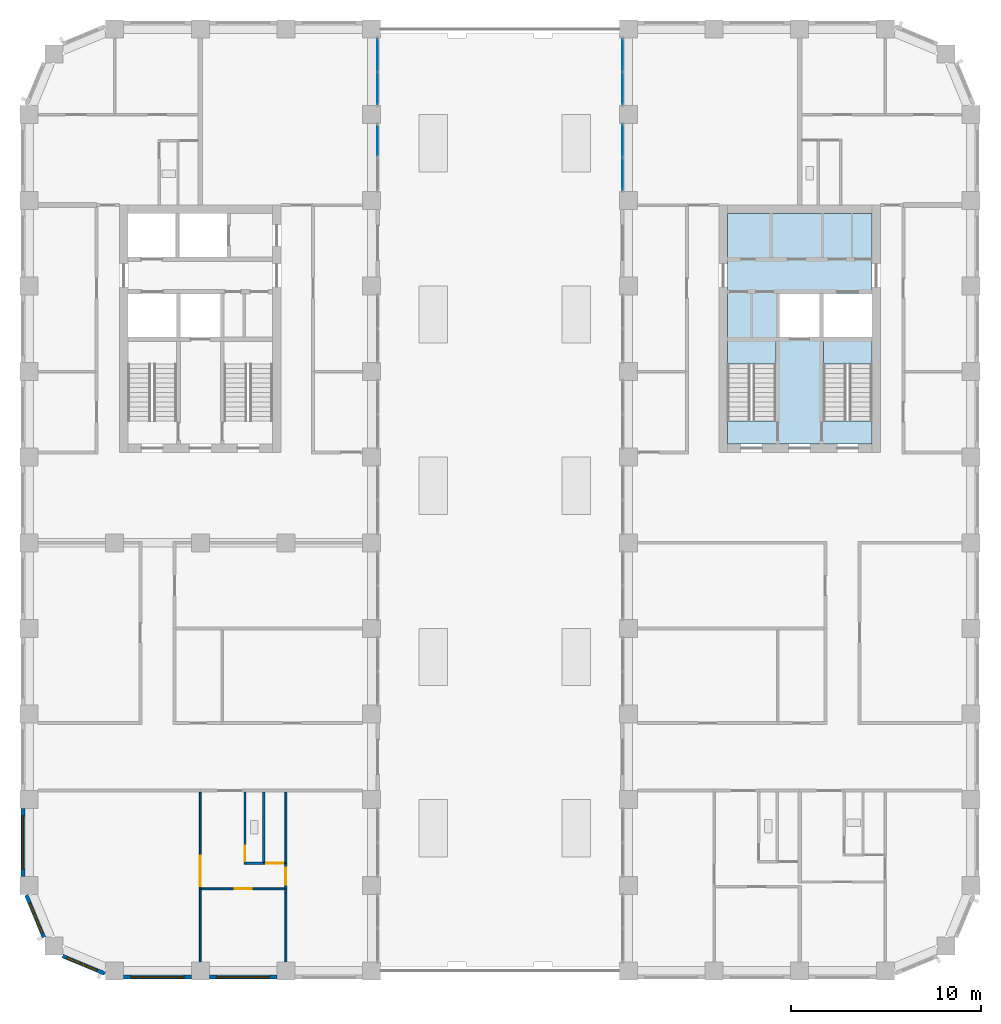
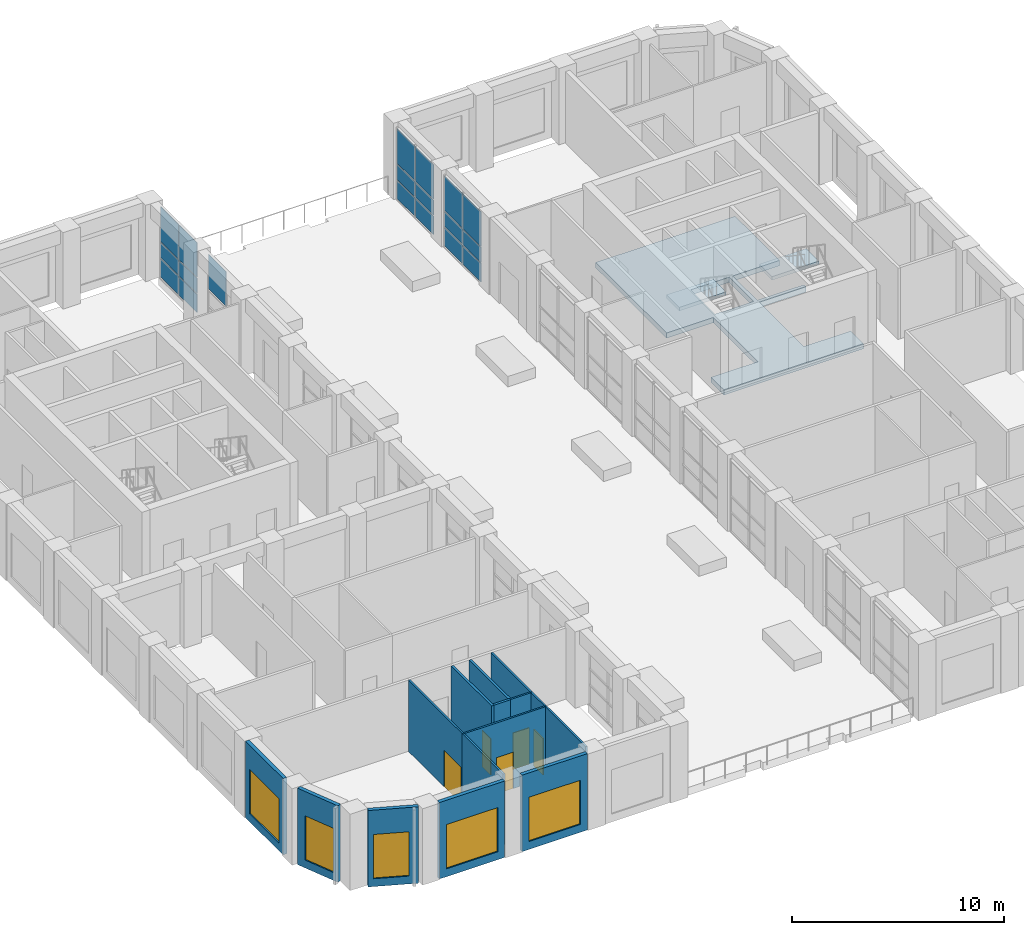
# One storey, part 9 of 20: 19 plates, 15 walls, 5 doors, 5 windows, 3 slabs, 10 openings, 6 elements without a shape of their own.
"""IFC4 building model written with IfcOpenShell, lengths in metres."""

from ifc_helpers import new_model, si_unit, direction, frame, frame_2d, origin, origin_2d, place, context, subcontext, project, spatial, polyline, rectangle, outline, extrude, material, layer, layer_set, type_object, element, fill, aggregate, save


model = new_model("IFC4")

# Units and contexts
model_context = context("Model", 3, precision=1e-05, world=origin(), true_north=direction((0.0, 1.0)))
body_context = subcontext(model_context, "Body", "Model", "MODEL_VIEW")
ifc_project = project(units=[si_unit("LENGTHUNIT", "METRE"), si_unit("AREAUNIT", "SQUARE_METRE"), si_unit("VOLUMEUNIT", "CUBIC_METRE"), si_unit("PLANEANGLEUNIT", "RADIAN"), si_unit("MASSUNIT", "GRAM", prefix="KILO")], contexts=[model_context])

# Site, building, storey
site_placement = place(None, origin())
site = spatial("IfcSite", under=ifc_project, at=site_placement, CompositionType="ELEMENT")
building_placement = place(site_placement, origin())
building = spatial("IfcBuilding", under=site, at=building_placement, Name="Girih Gate Residences", CompositionType="ELEMENT")
storey_placement = place(building_placement, frame((0.0, 0.0, 146.199951171875)))
storey = spatial("IfcBuildingStorey", under=building, at=storey_placement, Name="L41", CompositionType="ELEMENT", Elevation=146.199951171875)

# Slab
ifc_material_1 = material(Name="Concrete C40/50", Category="concrete")
ifc_layer_1 = layer(ifc_material_1, 0.300048828125)
ifc_layer_set_1 = layer_set([ifc_layer_1], Name="Core floor slab 300")
slab_type_1 = type_object("IfcSlabType", Name="Core floor slab 300", PredefinedType="FLOOR", material=ifc_layer_set_1)
slab_1_placement = place(storey_placement, frame((0.0, 0.0, -0.300048828125)))
element("IfcSlab", 1, at=slab_1_placement, inside=storey, type_object=slab_type_1, Name="L41 E core floor", PredefinedType="FLOOR", context=body_context, shape_type="SweptSolid", body=[
    extrude(outline(polyline([(44.300048828125, 27.699951171875), (36.699951171875, 27.699951171875), (36.699951171875, 28.900634765625), (39.25, 28.900634765625), (39.25, 33.10009765625), (36.699951171875, 33.10009765625), (36.699951171875, 39.800048828125), (44.300048828125, 39.800048828125), (44.300048828125, 35.60009765625), (41.75, 35.60009765625), (41.75, 33.300048828125), (44.300048828125, 33.300048828125), (44.300048828125, 33.10009765625), (41.75, 33.10009765625), (41.75, 28.900634765625), (44.300048828125, 28.900634765625), (44.300048828125, 27.699951171875)]), holes=[polyline([(39.449951171875, 33.300048828125), (41.550048828125, 33.300048828125), (41.550048828125, 35.60009765625), (39.449951171875, 35.60009765625), (39.449951171875, 33.300048828125)])]), origin(), (0.0, 0.0, 1.0), 0.300048828125),
])

# Curtain wall, plate
ifc_material_2 = material(Name="Aluminium curtain wall frame", Category="aluminium")
curtain_wall_type = type_object("IfcCurtainWallType", Name="Curtain wall CW-3 sky lounge glazing", PredefinedType="NOTDEFINED", material=ifc_material_2)
curtain_wall_1_placement = place(storey_placement, origin())
curtain_wall_1 = element("IfcCurtainWall", 2, at=curtain_wall_1_placement, inside=storey, type_object=curtain_wall_type, Name="CW-3 Sky lounge glazing E0180_0000.9", PredefinedType="NOTDEFINED")
ifc_material_3 = material(Name="Triple glazed unit")
ifc_layer_2 = layer(ifc_material_3, 0.0439453125)
ifc_layer_set_2 = layer_set([ifc_layer_2], Name="Curtain wall glass panel 44")
plate_type = type_object("IfcPlateType", Name="Curtain wall glass panel 44", PredefinedType="CURTAIN_PANEL", material=ifc_layer_set_2)
plate_1_placement = place(storey_placement, frame((18.31494140625, 43.62255859375, 2.10498046875), z_axis=(0.0, 0.0, 1.0), x_axis=(0.0, 1.0, 0.0)))
plate_1 = element("IfcPlate", 3, at=plate_1_placement, type_object=plate_type, Name="CW-3 panel 2.3", PredefinedType="CURTAIN_PANEL", context=body_context, shape_type="SweptSolid", body=[
    extrude(rectangle(XDim=1.68505859375, YDim=0.028076171875, at=origin_2d()), origin(), (0.0, 0.0, 1.0), 1.985107421875),
])
aggregate(curtain_wall_1, [plate_1])

# Curtain wall, plates
curtain_wall_2_placement = place(storey_placement, origin())
curtain_wall_2 = element("IfcCurtainWall", 4, at=curtain_wall_2_placement, inside=storey, type_object=curtain_wall_type, Name="CW-3 Sky lounge glazing E0180_0000.10", PredefinedType="NOTDEFINED")
plate_2_placement = place(storey_placement, frame((18.31494140625, 46.37744140625, 0.06005859375), z_axis=(0.0, 0.0, 1.0), x_axis=(0.0, 1.0, 0.0)))
plate_2 = element("IfcPlate", 5, at=plate_2_placement, type_object=plate_type, Name="CW-3 panel 1.1", PredefinedType="CURTAIN_PANEL", context=body_context, shape_type="SweptSolid", body=[
    extrude(rectangle(XDim=1.68505859375, YDim=0.028076171875, at=origin_2d()), origin(), (0.0, 0.0, 1.0), 1.06005859375),
])
plate_3_placement = place(storey_placement, frame((18.31494140625, 46.37744140625, 1.18017578125), z_axis=(0.0, 0.0, 1.0), x_axis=(0.0, 1.0, 0.0)))
plate_3 = element("IfcPlate", 6, at=plate_3_placement, type_object=plate_type, Name="CW-3 panel 1.2", PredefinedType="CURTAIN_PANEL", context=body_context, shape_type="SweptSolid", body=[
    extrude(rectangle(XDim=1.68505859375, YDim=0.028076171875, at=origin_2d()), origin(), (0.0, 0.0, 1.0), 0.864990234375),
])
plate_4_placement = place(storey_placement, frame((18.31494140625, 46.37744140625, 2.10498046875), z_axis=(0.0, 0.0, 1.0), x_axis=(0.0, 1.0, 0.0)))
plate_4 = element("IfcPlate", 7, at=plate_4_placement, type_object=plate_type, Name="CW-3 panel 1.3", PredefinedType="CURTAIN_PANEL", context=body_context, shape_type="SweptSolid", body=[
    extrude(rectangle(XDim=1.68505859375, YDim=0.028076171875, at=origin_2d()), origin(), (0.0, 0.0, 1.0), 1.985107421875),
])
plate_5_placement = place(storey_placement, frame((18.31494140625, 48.12255859375, 0.06005859375), z_axis=(0.0, 0.0, 1.0), x_axis=(0.0, 1.0, 0.0)))
plate_5 = element("IfcPlate", 8, at=plate_5_placement, type_object=plate_type, Name="CW-3 panel 2.1", PredefinedType="CURTAIN_PANEL", context=body_context, shape_type="SweptSolid", body=[
    extrude(rectangle(XDim=1.68505859375, YDim=0.028076171875, at=origin_2d()), origin(), (0.0, 0.0, 1.0), 1.06005859375),
])
plate_6_placement = place(storey_placement, frame((18.31494140625, 48.12255859375, 1.18017578125), z_axis=(0.0, 0.0, 1.0), x_axis=(0.0, 1.0, 0.0)))
plate_6 = element("IfcPlate", 9, at=plate_6_placement, type_object=plate_type, Name="CW-3 panel 2.2", PredefinedType="CURTAIN_PANEL", context=body_context, shape_type="SweptSolid", body=[
    extrude(rectangle(XDim=1.68505859375, YDim=0.028076171875, at=origin_2d()), origin(), (0.0, 0.0, 1.0), 0.864990234375),
])
plate_7_placement = place(storey_placement, frame((18.31494140625, 48.12255859375, 2.10498046875), z_axis=(0.0, 0.0, 1.0), x_axis=(0.0, 1.0, 0.0)))
plate_7 = element("IfcPlate", 10, at=plate_7_placement, type_object=plate_type, Name="CW-3 panel 2.3", PredefinedType="CURTAIN_PANEL", context=body_context, shape_type="SweptSolid", body=[
    extrude(rectangle(XDim=1.68505859375, YDim=0.028076171875, at=origin_2d()), origin(), (0.0, 0.0, 1.0), 1.985107421875),
])
aggregate(curtain_wall_2, [plate_2, plate_3, plate_4, plate_5, plate_6, plate_7])

curtain_wall_3_placement = place(storey_placement, origin())
curtain_wall_3 = element("IfcCurtainWall", 11, at=curtain_wall_3_placement, inside=storey, type_object=curtain_wall_type, Name="CW-3 Sky lounge glazing W0315_0495.0", PredefinedType="NOTDEFINED")
plate_8_placement = place(storey_placement, frame((31.18505859375, 48.12255859375, 0.06005859375), z_axis=(0.0, 0.0, 1.0), x_axis=(0.0, -1.0, 0.0)))
plate_8 = element("IfcPlate", 12, at=plate_8_placement, type_object=plate_type, Name="CW-3 panel 1.1", PredefinedType="CURTAIN_PANEL", context=body_context, shape_type="SweptSolid", body=[
    extrude(rectangle(XDim=1.68505859375, YDim=0.028076171875, at=origin_2d()), origin(), (0.0, 0.0, 1.0), 1.06005859375),
])
plate_9_placement = place(storey_placement, frame((31.18505859375, 48.12255859375, 1.18017578125), z_axis=(0.0, 0.0, 1.0), x_axis=(0.0, -1.0, 0.0)))
plate_9 = element("IfcPlate", 13, at=plate_9_placement, type_object=plate_type, Name="CW-3 panel 1.2", PredefinedType="CURTAIN_PANEL", context=body_context, shape_type="SweptSolid", body=[
    extrude(rectangle(XDim=1.68505859375, YDim=0.028076171875, at=origin_2d()), origin(), (0.0, 0.0, 1.0), 0.864990234375),
])
plate_10_placement = place(storey_placement, frame((31.18505859375, 48.12255859375, 2.10498046875), z_axis=(0.0, 0.0, 1.0), x_axis=(0.0, -1.0, 0.0)))
plate_10 = element("IfcPlate", 14, at=plate_10_placement, type_object=plate_type, Name="CW-3 panel 1.3", PredefinedType="CURTAIN_PANEL", context=body_context, shape_type="SweptSolid", body=[
    extrude(rectangle(XDim=1.68505859375, YDim=0.028076171875, at=origin_2d()), origin(), (0.0, 0.0, 1.0), 1.985107421875),
])
plate_11_placement = place(storey_placement, frame((31.18505859375, 46.37744140625, 0.06005859375), z_axis=(0.0, 0.0, 1.0), x_axis=(0.0, -1.0, 0.0)))
plate_11 = element("IfcPlate", 15, at=plate_11_placement, type_object=plate_type, Name="CW-3 panel 2.1", PredefinedType="CURTAIN_PANEL", context=body_context, shape_type="SweptSolid", body=[
    extrude(rectangle(XDim=1.68505859375, YDim=0.028076171875, at=origin_2d()), origin(), (0.0, 0.0, 1.0), 1.06005859375),
])
plate_12_placement = place(storey_placement, frame((31.18505859375, 46.37744140625, 1.18017578125), z_axis=(0.0, 0.0, 1.0), x_axis=(0.0, -1.0, 0.0)))
plate_12 = element("IfcPlate", 16, at=plate_12_placement, type_object=plate_type, Name="CW-3 panel 2.2", PredefinedType="CURTAIN_PANEL", context=body_context, shape_type="SweptSolid", body=[
    extrude(rectangle(XDim=1.68505859375, YDim=0.028076171875, at=origin_2d()), origin(), (0.0, 0.0, 1.0), 0.864990234375),
])
plate_13_placement = place(storey_placement, frame((31.18505859375, 46.37744140625, 2.10498046875), z_axis=(0.0, 0.0, 1.0), x_axis=(0.0, -1.0, 0.0)))
plate_13 = element("IfcPlate", 17, at=plate_13_placement, type_object=plate_type, Name="CW-3 panel 2.3", PredefinedType="CURTAIN_PANEL", context=body_context, shape_type="SweptSolid", body=[
    extrude(rectangle(XDim=1.68505859375, YDim=0.028076171875, at=origin_2d()), origin(), (0.0, 0.0, 1.0), 1.985107421875),
])
aggregate(curtain_wall_3, [plate_8, plate_9, plate_10, plate_11, plate_12, plate_13])

curtain_wall_4_placement = place(storey_placement, origin())
curtain_wall_4 = element("IfcCurtainWall", 18, at=curtain_wall_4_placement, inside=storey, type_object=curtain_wall_type, Name="CW-3 Sky lounge glazing W0315_0495.1", PredefinedType="NOTDEFINED")
plate_14_placement = place(storey_placement, frame((31.18505859375, 43.62255859375, 0.06005859375), z_axis=(0.0, 0.0, 1.0), x_axis=(0.0, -1.0, 0.0)))
plate_14 = element("IfcPlate", 19, at=plate_14_placement, type_object=plate_type, Name="CW-3 panel 1.1", PredefinedType="CURTAIN_PANEL", context=body_context, shape_type="SweptSolid", body=[
    extrude(rectangle(XDim=1.68505859375, YDim=0.028076171875, at=origin_2d()), origin(), (0.0, 0.0, 1.0), 1.06005859375),
])
plate_15_placement = place(storey_placement, frame((31.18505859375, 43.62255859375, 1.18017578125), z_axis=(0.0, 0.0, 1.0), x_axis=(0.0, -1.0, 0.0)))
plate_15 = element("IfcPlate", 20, at=plate_15_placement, type_object=plate_type, Name="CW-3 panel 1.2", PredefinedType="CURTAIN_PANEL", context=body_context, shape_type="SweptSolid", body=[
    extrude(rectangle(XDim=1.68505859375, YDim=0.028076171875, at=origin_2d()), origin(), (0.0, 0.0, 1.0), 0.864990234375),
])
plate_16_placement = place(storey_placement, frame((31.18505859375, 43.62255859375, 2.10498046875), z_axis=(0.0, 0.0, 1.0), x_axis=(0.0, -1.0, 0.0)))
plate_16 = element("IfcPlate", 21, at=plate_16_placement, type_object=plate_type, Name="CW-3 panel 1.3", PredefinedType="CURTAIN_PANEL", context=body_context, shape_type="SweptSolid", body=[
    extrude(rectangle(XDim=1.68505859375, YDim=0.028076171875, at=origin_2d()), origin(), (0.0, 0.0, 1.0), 1.985107421875),
])
plate_17_placement = place(storey_placement, frame((31.18505859375, 41.87744140625, 0.06005859375), z_axis=(0.0, 0.0, 1.0), x_axis=(0.0, -1.0, 0.0)))
plate_17 = element("IfcPlate", 22, at=plate_17_placement, type_object=plate_type, Name="CW-3 panel 2.1", PredefinedType="CURTAIN_PANEL", context=body_context, shape_type="SweptSolid", body=[
    extrude(rectangle(XDim=1.68505859375, YDim=0.028076171875, at=origin_2d()), origin(), (0.0, 0.0, 1.0), 1.06005859375),
])
plate_18_placement = place(storey_placement, frame((31.18505859375, 41.87744140625, 1.18017578125), z_axis=(0.0, 0.0, 1.0), x_axis=(0.0, -1.0, 0.0)))
plate_18 = element("IfcPlate", 23, at=plate_18_placement, type_object=plate_type, Name="CW-3 panel 2.2", PredefinedType="CURTAIN_PANEL", context=body_context, shape_type="SweptSolid", body=[
    extrude(rectangle(XDim=1.68505859375, YDim=0.028076171875, at=origin_2d()), origin(), (0.0, 0.0, 1.0), 0.864990234375),
])
plate_19_placement = place(storey_placement, frame((31.18505859375, 41.87744140625, 2.10498046875), z_axis=(0.0, 0.0, 1.0), x_axis=(0.0, -1.0, 0.0)))
plate_19 = element("IfcPlate", 24, at=plate_19_placement, type_object=plate_type, Name="CW-3 panel 2.3", PredefinedType="CURTAIN_PANEL", context=body_context, shape_type="SweptSolid", body=[
    extrude(rectangle(XDim=1.68505859375, YDim=0.028076171875, at=origin_2d()), origin(), (0.0, 0.0, 1.0), 1.985107421875),
])
aggregate(curtain_wall_4, [plate_14, plate_15, plate_16, plate_17, plate_18, plate_19])

# Stair, slab
stair_type = type_object("IfcStairType", Name="Exit stair", PredefinedType="HALF_TURN_STAIR", material=ifc_material_1)
stair_1_placement = place(storey_placement, origin())
stair_1 = element("IfcStair", 25, at=stair_1_placement, inside=storey, type_object=stair_type, Name="L41 Exit Stair ST-E1", PredefinedType="HALF_TURN_STAIR")
ifc_layer_3 = layer(ifc_material_1, 0.199951171875)
ifc_layer_set_3 = layer_set([ifc_layer_3], Name="Stair landing 200")
slab_type_2 = type_object("IfcSlabType", Name="Stair landing 200", PredefinedType="LANDING", material=ifc_layer_set_3)
slab_2_placement = place(storey_placement, frame((0.0, 0.0, 2.0)))
slab_2 = element("IfcSlab", 26, at=slab_2_placement, type_object=slab_type_2, Name="ST-E1 landing 1", PredefinedType="LANDING", context=body_context, shape_type="SweptSolid", body=[
    extrude(outline(polyline([(44.300048828125, 31.89990234375), (44.300048828125, 33.10009765625), (41.75, 33.10009765625), (41.75, 31.89990234375), (44.300048828125, 31.89990234375)])), origin(), (0.0, 0.0, 1.0), 0.199951171875),
])
aggregate(stair_1, [slab_2])

stair_2_placement = place(storey_placement, origin())
stair_2 = element("IfcStair", 27, at=stair_2_placement, inside=storey, type_object=stair_type, Name="L41 Exit Stair ST-E2", PredefinedType="HALF_TURN_STAIR")
slab_3_placement = place(storey_placement, frame((0.0, 0.0, 2.0)))
slab_3 = element("IfcSlab", 28, at=slab_3_placement, type_object=slab_type_2, Name="ST-E2 landing 1", PredefinedType="LANDING", context=body_context, shape_type="SweptSolid", body=[
    extrude(outline(polyline([(39.25, 31.89990234375), (39.25, 33.10009765625), (36.699951171875, 33.10009765625), (36.699951171875, 31.89990234375), (39.25, 31.89990234375)])), origin(), (0.0, 0.0, 1.0), 0.199951171875),
])
aggregate(stair_2, [slab_3])

# Wall
ifc_material_4 = material(Name="Gypsum board on steel studs", Category="steel")
ifc_layer_4 = layer(ifc_material_4, 0.10009765625)
ifc_layer_set_4 = layer_set([ifc_layer_4], Name="Partition 100 mm")
wall_type_1 = type_object("IfcWallType", Name="Partition 100 mm", PredefinedType="PARTITIONING", material=ifc_layer_set_4)
wall_1_placement = place(storey_placement, frame((13.5, 0.47509765625, 0.0), z_axis=(0.0, 0.0, 1.0), x_axis=(0.0, 1.0, 0.0)))
element("IfcWall", 29, at=wall_1_placement, inside=storey, type_object=wall_type_1, Name="L41 partition", PredefinedType="PARTITIONING", context=body_context, shape_type="SweptSolid", body=[
    extrude(rectangle(XDim=3.83984375, YDim=0.10009765625, at=frame_2d((1.919921875, 0.0))), origin(), (0.0, 0.0, 1.0), 4.10009765625),
])

# Wall, opening, door
wall_2_placement = place(storey_placement, frame((13.449951171875, 4.31494140625, 0.0), z_axis=(0.0, 0.0, 1.0), x_axis=(-1.0, 0.0, 0.0)))
wall_2 = element("IfcWall", 30, at=wall_2_placement, inside=storey, type_object=wall_type_1, Name="L41 partition", PredefinedType="PARTITIONING", context=body_context, shape_type="SweptSolid", body=[
    extrude(rectangle(XDim=4.39990234375, YDim=0.10009765625, at=frame_2d((2.199951171875, 0.0))), origin(), (0.0, 0.0, 1.0), 4.10009765625),
])
opening_1_placement = place(wall_2_placement, frame((1.75, 0.0, 0.0)))
opening_1 = element("IfcOpeningElement", 31, at=opening_1_placement, cuts=wall_2, Name="Opening A41-002", PredefinedType="OPENING", context=body_context, shape_type="SweptSolid", body=[
    extrude(rectangle(XDim=0.89990234375, YDim=2.10009765625, at=frame_2d((0.449951171875, 1.050048828125))), frame((0.0, 0.06005859375, 0.0), z_axis=(0.0, -1.0, 0.0), x_axis=(1.0, 0.0, 0.0)), (0.0, 0.0, 1.0), 0.1201171875),
])
ifc_material_5 = material(Name="Timber", Category="wood")
door_type_1 = type_object("IfcDoorType", Name="Bedroom door 900x2100", OperationType="NOTDEFINED", PredefinedType="DOOR", material=ifc_material_5)
door_1_placement = place(opening_1_placement, origin())
door_1 = element("IfcDoor", 32, at=door_1_placement, inside=storey, type_object=door_type_1, Name="Door A41-002", OperationType="SINGLE_SWING_RIGHT", OverallHeight=2.10009765625, OverallWidth=0.89990234375, PredefinedType="DOOR", context=body_context, shape_type="SweptSolid", body=[
    extrude(rectangle(XDim=0.89990234375, YDim=2.10009765625, at=frame_2d((0.449951171875, 1.050048828125))), frame((0.0, 0.02490234375, 0.0), z_axis=(0.0, -1.0, 0.0), x_axis=(1.0, 0.0, 0.0)), (0.0, 0.0, 1.0), 0.050048828125),
])
fill(opening_1, door_1)

# Wall
wall_3_placement = place(storey_placement, frame((9.0, 0.47509765625, 0.0), z_axis=(0.0, 0.0, 1.0), x_axis=(0.0, 1.0, 0.0)))
element("IfcWall", 33, at=wall_3_placement, inside=storey, type_object=wall_type_1, Name="L41 partition", PredefinedType="PARTITIONING", context=body_context, shape_type="SweptSolid", body=[
    extrude(rectangle(XDim=3.83984375, YDim=0.10009765625, at=frame_2d((1.919921875, 0.0))), origin(), (0.0, 0.0, 1.0), 4.10009765625),
])

# Wall, opening, door
wall_4_placement = place(storey_placement, frame((13.5, 5.655029296875, 0.0), z_axis=(0.0, 0.0, 1.0), x_axis=(0.0, -1.0, 0.0)))
wall_4 = element("IfcWall", 34, at=wall_4_placement, inside=storey, type_object=wall_type_1, Name="L41 partition", PredefinedType="PARTITIONING", context=body_context, shape_type="SweptSolid", body=[
    extrude(rectangle(XDim=1.340087890625, YDim=0.10009765625, at=frame_2d((0.669921875, 0.0))), origin(), (0.0, 0.0, 1.0), 4.10009765625),
])
opening_2_placement = place(wall_4_placement, frame((0.219970703125, 0.0, 0.0)))
opening_2 = element("IfcOpeningElement", 35, at=opening_2_placement, cuts=wall_4, Name="Opening A41-003", PredefinedType="OPENING", context=body_context, shape_type="SweptSolid", body=[
    extrude(rectangle(XDim=0.89990234375, YDim=2.10009765625, at=frame_2d((0.449951171875, 1.050048828125))), frame((0.0, 0.06005859375, 0.0), z_axis=(0.0, -1.0, 0.0), x_axis=(1.0, 0.0, 0.0)), (0.0, 0.0, 1.0), 0.1201171875),
])
door_2_placement = place(opening_2_placement, origin())
door_2 = element("IfcDoor", 36, at=door_2_placement, inside=storey, type_object=door_type_1, Name="Door A41-003", OperationType="SINGLE_SWING_RIGHT", OverallHeight=2.10009765625, OverallWidth=0.89990234375, PredefinedType="DOOR", context=body_context, shape_type="SweptSolid", body=[
    extrude(rectangle(XDim=0.89990234375, YDim=2.10009765625, at=frame_2d((0.449951171875, 1.050048828125))), frame((0.0, 0.02490234375, 0.0), z_axis=(0.0, -1.0, 0.0), x_axis=(1.0, 0.0, 0.0)), (0.0, 0.0, 1.0), 0.050048828125),
])
fill(opening_2, door_2)

# Wall
wall_5_placement = place(storey_placement, frame((13.5, 5.655029296875, 0.0), z_axis=(0.0, 0.0, 1.0), x_axis=(0.0, 1.0, 0.0)))
element("IfcWall", 37, at=wall_5_placement, inside=storey, type_object=wall_type_1, Name="L41 partition", PredefinedType="PARTITIONING", context=body_context, shape_type="SweptSolid", body=[
    extrude(rectangle(XDim=3.744873046875, YDim=0.10009765625, at=frame_2d((1.87255859375, 0.0))), origin(), (0.0, 0.0, 1.0), 4.10009765625),
])

# Wall, opening, door
wall_6_placement = place(storey_placement, frame((12.327392578125, 5.655029296875, 0.0), z_axis=(0.0, 0.0, 1.0), x_axis=(1.0, 0.0, 0.0)))
wall_6 = element("IfcWall", 38, at=wall_6_placement, inside=storey, type_object=wall_type_1, Name="L41 partition", PredefinedType="PARTITIONING", context=body_context, shape_type="SweptSolid", body=[
    extrude(rectangle(XDim=1.12255859375, YDim=0.10009765625, at=frame_2d((0.561279296875, 0.0))), origin(), (0.0, 0.0, 1.0), 4.10009765625),
])
opening_3_placement = place(wall_6_placement, frame((0.136474609375, 0.0, 0.0)))
opening_3 = element("IfcOpeningElement", 39, at=opening_3_placement, cuts=wall_6, Name="Opening A41-004", PredefinedType="OPENING", context=body_context, shape_type="SweptSolid", body=[
    extrude(rectangle(XDim=0.89990234375, YDim=2.10009765625, at=frame_2d((0.449951171875, 1.050048828125))), frame((0.0, 0.06005859375, 0.0), z_axis=(0.0, -1.0, 0.0), x_axis=(1.0, 0.0, 0.0)), (0.0, 0.0, 1.0), 0.1201171875),
])
door_type_2 = type_object("IfcDoorType", Name="Kitchen door 900x2100", OperationType="NOTDEFINED", PredefinedType="DOOR", material=ifc_material_5)
door_3_placement = place(opening_3_placement, origin())
door_3 = element("IfcDoor", 40, at=door_3_placement, inside=storey, type_object=door_type_2, Name="Door A41-004", OperationType="SINGLE_SWING_RIGHT", OverallHeight=2.10009765625, OverallWidth=0.89990234375, PredefinedType="DOOR", context=body_context, shape_type="SweptSolid", body=[
    extrude(rectangle(XDim=0.89990234375, YDim=2.10009765625, at=frame_2d((0.449951171875, 1.050048828125))), frame((0.0, 0.02490234375, 0.0), z_axis=(0.0, -1.0, 0.0), x_axis=(1.0, 0.0, 0.0)), (0.0, 0.0, 1.0), 0.050048828125),
])
fill(opening_3, door_3)

wall_7_placement = place(storey_placement, frame((9.0, 4.31494140625, 0.0), z_axis=(0.0, 0.0, 1.0), x_axis=(0.0, 1.0, 0.0)))
wall_7 = element("IfcWall", 41, at=wall_7_placement, inside=storey, type_object=wall_type_1, Name="L41 partition", PredefinedType="PARTITIONING", context=body_context, shape_type="SweptSolid", body=[
    extrude(rectangle(XDim=5.0849609375, YDim=0.10009765625, at=frame_2d((2.54248046875, 0.0))), origin(), (0.0, 0.0, 1.0), 4.10009765625),
])
opening_4_placement = place(wall_7_placement, frame((0.1298828125, 0.0, 0.0)))
opening_4 = element("IfcOpeningElement", 42, at=opening_4_placement, cuts=wall_7, Name="Opening A41-005", PredefinedType="OPENING", context=body_context, shape_type="SweptSolid", body=[
    extrude(rectangle(XDim=1.60009765625, YDim=2.10009765625, at=frame_2d((0.800048828125, 1.050048828125))), frame((0.0, 0.06005859375, 0.0), z_axis=(0.0, -1.0, 0.0), x_axis=(1.0, 0.0, 0.0)), (0.0, 0.0, 1.0), 0.1201171875),
])
door_type_3 = type_object("IfcDoorType", Name="Double leaf door 1600x2100", OperationType="NOTDEFINED", PredefinedType="DOOR", material=ifc_material_5)
door_4_placement = place(opening_4_placement, origin())
door_4 = element("IfcDoor", 43, at=door_4_placement, inside=storey, type_object=door_type_3, Name="Door A41-005", OperationType="SINGLE_SWING_LEFT", OverallHeight=2.10009765625, OverallWidth=1.60009765625, PredefinedType="DOOR", context=body_context, shape_type="SweptSolid", body=[
    extrude(rectangle(XDim=1.60009765625, YDim=2.10009765625, at=frame_2d((0.800048828125, 1.050048828125))), frame((0.0, 0.02490234375, 0.0), z_axis=(0.0, -1.0, 0.0), x_axis=(1.0, 0.0, 0.0)), (0.0, 0.0, 1.0), 0.050048828125),
])
fill(opening_4, door_4)

# Wall, opening, window
ifc_material_6 = material(Name="Precast concrete C50/60", Category="concrete")
ifc_layer_5 = layer(ifc_material_6, 0.06005859375, Name="Outer leaf")
ifc_material_7 = material(Name="Rigid PIR insulation")
ifc_layer_6 = layer(ifc_material_7, 0.090087890625, Name="Insulation")
ifc_material_8 = material(Name="Precast concrete C40/50", Category="concrete")
ifc_layer_7 = layer(ifc_material_8, 0.050048828125, Name="Inner leaf")
ifc_layer_set_5 = layer_set([ifc_layer_5, ifc_layer_6, ifc_layer_7], Name="Precast concrete C50/60 external wall 200")
wall_type_2 = type_object("IfcWallType", Name="Precast concrete C50/60 external wall 200", PredefinedType="SOLIDWALL", material=ifc_layer_set_5)
wall_8_placement = place(storey_placement, frame((-0.324951171875, 4.97509765625, 0.0), z_axis=(0.0, 0.0, 1.0), x_axis=(0.0, 1.0, 0.0)))
wall_8 = element("IfcWall", 44, at=wall_8_placement, inside=storey, type_object=wall_type_2, Name="External wall W0000_0450.8", PredefinedType="SOLIDWALL", context=body_context, shape_type="SweptSolid", body=[
    extrude(rectangle(XDim=3.5498046875, YDim=0.199951171875, at=frame_2d((1.77490234375, 0.0))), origin(), (0.0, 0.0, 1.0), 4.400146484375),
])
opening_5_placement = place(wall_8_placement, frame((0.375, 0.0, 0.449951171875)))
opening_5 = element("IfcOpeningElement", 45, at=opening_5_placement, cuts=wall_8, Name="Opening W-6A", PredefinedType="OPENING", context=body_context, shape_type="SweptSolid", body=[
    extrude(rectangle(XDim=2.800048828125, YDim=2.550048828125, at=frame_2d((1.39990234375, 1.27490234375))), frame((0.0, 0.10986328125, 0.0), z_axis=(0.0, -1.0, 0.0), x_axis=(1.0, 0.0, 0.0)), (0.0, 0.0, 1.0), 0.219970703125),
])
ifc_material_9 = material(Name="Double glazing in aluminium frame", Category="aluminium")
window_type_1 = type_object("IfcWindowType", Name="Window W-6A 2800x2550", PartitioningType="SINGLE_PANEL", PredefinedType="WINDOW", material=ifc_material_9)
window_1_placement = place(opening_5_placement, origin())
window_1 = element("IfcWindow", 46, at=window_1_placement, inside=storey, type_object=window_type_1, Name="Window W-6A W0000_0450.8", OverallHeight=2.550048828125, OverallWidth=2.800048828125, PartitioningType="SINGLE_PANEL", PredefinedType="WINDOW", context=body_context, shape_type="SweptSolid", body=[
    extrude(rectangle(XDim=2.800048828125, YDim=2.550048828125, at=frame_2d((1.39990234375, 1.27490234375))), frame((0.0, 0.030029296875, 0.0), z_axis=(0.0, -1.0, 0.0), x_axis=(1.0, 0.0, 0.0)), (0.0, 0.0, 1.0), 0.06005859375),
])
fill(opening_5, window_1)

wall_9_placement = place(storey_placement, frame((0.7802734375, 1.76708984375, 0.0), z_axis=(0.0, 0.0, 1.0), x_axis=(-0.382680855588, 0.923880599843, 0.0)))
wall_9 = element("IfcWall", 47, at=wall_9_placement, inside=storey, type_object=wall_type_2, Name="External wall SW0000_0045.0", PredefinedType="SOLIDWALL", context=body_context, shape_type="SweptSolid", body=[
    extrude(rectangle(XDim=2.402587890625, YDim=0.199951171875, at=frame_2d((1.201171875, 0.0))), origin(), (0.0, 0.0, 1.0), 4.400146484375),
])
opening_6_placement = place(wall_9_placement, frame((0.25146484375, 0.0, 0.449951171875)))
opening_6 = element("IfcOpeningElement", 48, at=opening_6_placement, cuts=wall_9, Name="Opening W-2F", PredefinedType="OPENING", context=body_context, shape_type="SweptSolid", body=[
    extrude(rectangle(XDim=1.699951171875, YDim=2.550048828125, at=frame_2d((0.85009765625, 1.27490234375))), frame((0.0, 0.10986328125, 0.0), z_axis=(0.0, -1.0, 0.0), x_axis=(1.0, 0.0, 0.0)), (0.0, 0.0, 1.0), 0.219970703125),
])
window_type_2 = type_object("IfcWindowType", Name="Window W-2F 1700x2550", PartitioningType="SINGLE_PANEL", PredefinedType="WINDOW", material=ifc_material_9)
window_2_placement = place(opening_6_placement, origin())
window_2 = element("IfcWindow", 49, at=window_2_placement, inside=storey, type_object=window_type_2, Name="Window W-2F SW0000_0045.0", OverallHeight=2.550048828125, OverallWidth=1.699951171875, PartitioningType="SINGLE_PANEL", PredefinedType="WINDOW", context=body_context, shape_type="SweptSolid", body=[
    extrude(rectangle(XDim=1.699951171875, YDim=2.550048828125, at=frame_2d((0.85009765625, 1.27490234375))), frame((0.0, 0.030029296875, 0.0), z_axis=(0.0, -1.0, 0.0), x_axis=(1.0, 0.0, 0.0)), (0.0, 0.0, 1.0), 0.06005859375),
])
fill(opening_6, window_2)

wall_10_placement = place(storey_placement, frame((3.98681640625, -0.13916015625, 0.0), z_axis=(0.0, 0.0, 1.0), x_axis=(-0.923880599843, 0.382680855588, 0.0)))
wall_10 = element("IfcWall", 50, at=wall_10_placement, inside=storey, type_object=wall_type_2, Name="External wall SW0013_0013.0", PredefinedType="SOLIDWALL", context=body_context, shape_type="SweptSolid", body=[
    extrude(rectangle(XDim=2.402587890625, YDim=0.199951171875, at=frame_2d((1.201171875, 0.0))), origin(), (0.0, 0.0, 1.0), 4.400146484375),
])
opening_7_placement = place(wall_10_placement, frame((0.451171875, 0.0, 0.449951171875)))
opening_7 = element("IfcOpeningElement", 51, at=opening_7_placement, cuts=wall_10, Name="Opening W-2F", PredefinedType="OPENING", context=body_context, shape_type="SweptSolid", body=[
    extrude(rectangle(XDim=1.699951171875, YDim=2.550048828125, at=frame_2d((0.85009765625, 1.27490234375))), frame((0.0, 0.10986328125, 0.0), z_axis=(0.0, -1.0, 0.0), x_axis=(1.0, 0.0, 0.0)), (0.0, 0.0, 1.0), 0.219970703125),
])
window_3_placement = place(opening_7_placement, origin())
window_3 = element("IfcWindow", 52, at=window_3_placement, inside=storey, type_object=window_type_2, Name="Window W-2F SW0013_0013.0", OverallHeight=2.550048828125, OverallWidth=1.699951171875, PartitioningType="SINGLE_PANEL", PredefinedType="WINDOW", context=body_context, shape_type="SweptSolid", body=[
    extrude(rectangle(XDim=1.699951171875, YDim=2.550048828125, at=frame_2d((0.85009765625, 1.27490234375))), frame((0.0, 0.030029296875, 0.0), z_axis=(0.0, -1.0, 0.0), x_axis=(1.0, 0.0, 0.0)), (0.0, 0.0, 1.0), 0.06005859375),
])
fill(opening_7, window_3)

wall_11_placement = place(storey_placement, frame((8.52490234375, -0.324951171875, 0.0), z_axis=(0.0, 0.0, 1.0), x_axis=(-1.0, 0.0, 0.0)))
wall_11 = element("IfcWall", 53, at=wall_11_placement, inside=storey, type_object=wall_type_2, Name="External wall S0045_0000.0", PredefinedType="SOLIDWALL", context=body_context, shape_type="SweptSolid", body=[
    extrude(rectangle(XDim=3.5498046875, YDim=0.199951171875, at=frame_2d((1.77490234375, 0.0))), origin(), (0.0, 0.0, 1.0), 4.400146484375),
])
opening_8_placement = place(wall_11_placement, frame((0.375, 0.0, 0.449951171875)))
opening_8 = element("IfcOpeningElement", 54, at=opening_8_placement, cuts=wall_11, Name="Opening W-6A", PredefinedType="OPENING", context=body_context, shape_type="SweptSolid", body=[
    extrude(rectangle(XDim=2.800048828125, YDim=2.550048828125, at=frame_2d((1.39990234375, 1.27490234375))), frame((0.0, 0.10986328125, 0.0), z_axis=(0.0, -1.0, 0.0), x_axis=(1.0, 0.0, 0.0)), (0.0, 0.0, 1.0), 0.219970703125),
])
window_4_placement = place(opening_8_placement, origin())
window_4 = element("IfcWindow", 55, at=window_4_placement, inside=storey, type_object=window_type_1, Name="Window W-6A S0045_0000.0", OverallHeight=2.550048828125, OverallWidth=2.800048828125, PartitioningType="SINGLE_PANEL", PredefinedType="WINDOW", context=body_context, shape_type="SweptSolid", body=[
    extrude(rectangle(XDim=2.800048828125, YDim=2.550048828125, at=frame_2d((1.39990234375, 1.27490234375))), frame((0.0, 0.030029296875, 0.0), z_axis=(0.0, -1.0, 0.0), x_axis=(1.0, 0.0, 0.0)), (0.0, 0.0, 1.0), 0.06005859375),
])
fill(opening_8, window_4)

wall_12_placement = place(storey_placement, frame((13.02490234375, -0.324951171875, 0.0), z_axis=(0.0, 0.0, 1.0), x_axis=(-1.0, 0.0, 0.0)))
wall_12 = element("IfcWall", 56, at=wall_12_placement, inside=storey, type_object=wall_type_2, Name="External wall S0045_0000.1", PredefinedType="SOLIDWALL", context=body_context, shape_type="SweptSolid", body=[
    extrude(rectangle(XDim=3.5498046875, YDim=0.199951171875, at=frame_2d((1.77490234375, 0.0))), origin(), (0.0, 0.0, 1.0), 4.400146484375),
])
opening_9_placement = place(wall_12_placement, frame((0.375, 0.0, 0.449951171875)))
opening_9 = element("IfcOpeningElement", 57, at=opening_9_placement, cuts=wall_12, Name="Opening W-6A", PredefinedType="OPENING", context=body_context, shape_type="SweptSolid", body=[
    extrude(rectangle(XDim=2.800048828125, YDim=2.550048828125, at=frame_2d((1.39990234375, 1.27490234375))), frame((0.0, 0.10986328125, 0.0), z_axis=(0.0, -1.0, 0.0), x_axis=(1.0, 0.0, 0.0)), (0.0, 0.0, 1.0), 0.219970703125),
])
window_5_placement = place(opening_9_placement, origin())
window_5 = element("IfcWindow", 58, at=window_5_placement, inside=storey, type_object=window_type_1, Name="Window W-6A S0045_0000.1", OverallHeight=2.550048828125, OverallWidth=2.800048828125, PartitioningType="SINGLE_PANEL", PredefinedType="WINDOW", context=body_context, shape_type="SweptSolid", body=[
    extrude(rectangle(XDim=2.800048828125, YDim=2.550048828125, at=frame_2d((1.39990234375, 1.27490234375))), frame((0.0, 0.030029296875, 0.0), z_axis=(0.0, -1.0, 0.0), x_axis=(1.0, 0.0, 0.0)), (0.0, 0.0, 1.0), 0.06005859375),
])
fill(opening_9, window_5)

# Wall
ifc_layer_8 = layer(ifc_material_4, 0.125)
ifc_layer_set_6 = layer_set([ifc_layer_8], Name="Wet room wall 125 mm")
wall_type_3 = type_object("IfcWallType", Name="Wet room wall 125 mm", PredefinedType="PARTITIONING", material=ifc_layer_set_6)
wall_13_placement = place(storey_placement, frame((11.41259765625, 5.655029296875, 0.0), z_axis=(0.0, 0.0, 1.0), x_axis=(1.0, 0.0, 0.0)))
element("IfcWall", 59, at=wall_13_placement, inside=storey, type_object=wall_type_3, Name="L41 partition", PredefinedType="PARTITIONING", context=body_context, shape_type="SweptSolid", body=[
    extrude(rectangle(XDim=0.914794921875, YDim=0.125, at=frame_2d((0.45751953125, 0.0))), origin(), (0.0, 0.0, 1.0), 4.10009765625),
])

# Wall, opening, door
wall_14_placement = place(storey_placement, frame((11.35009765625, 9.39990234375, 0.0), z_axis=(0.0, 0.0, 1.0), x_axis=(0.0, -1.0, 0.0)))
wall_14 = element("IfcWall", 60, at=wall_14_placement, inside=storey, type_object=wall_type_3, Name="L41 partition", PredefinedType="PARTITIONING", context=body_context, shape_type="SweptSolid", body=[
    extrude(rectangle(XDim=3.807373046875, YDim=0.125, at=frame_2d((1.90380859375, 0.0))), origin(), (0.0, 0.0, 1.0), 4.10009765625),
])
opening_10_placement = place(wall_14_placement, frame((2.824951171875, 0.0, 0.0)))
opening_10 = element("IfcOpeningElement", 61, at=opening_10_placement, cuts=wall_14, Name="Opening A41-001", PredefinedType="OPENING", context=body_context, shape_type="SweptSolid", body=[
    extrude(rectangle(XDim=0.800048828125, YDim=2.10009765625, at=frame_2d((0.39990234375, 1.050048828125))), frame((0.0, 0.072509765625, 0.0), z_axis=(0.0, -1.0, 0.0), x_axis=(1.0, 0.0, 0.0)), (0.0, 0.0, 1.0), 0.14501953125),
])
door_type_4 = type_object("IfcDoorType", Name="Bathroom door 800x2100", OperationType="NOTDEFINED", PredefinedType="DOOR", material=ifc_material_5)
door_5_placement = place(opening_10_placement, origin())
door_5 = element("IfcDoor", 62, at=door_5_placement, inside=storey, type_object=door_type_4, Name="Door A41-001", OperationType="SINGLE_SWING_RIGHT", OverallHeight=2.10009765625, OverallWidth=0.800048828125, PredefinedType="DOOR", context=body_context, shape_type="SweptSolid", body=[
    extrude(rectangle(XDim=0.800048828125, YDim=2.10009765625, at=frame_2d((0.39990234375, 1.050048828125))), frame((0.0, 0.02490234375, 0.0), z_axis=(0.0, -1.0, 0.0), x_axis=(1.0, 0.0, 0.0)), (0.0, 0.0, 1.0), 0.050048828125),
])
fill(opening_10, door_5)

# Wall
wall_15_placement = place(storey_placement, frame((12.326904296875, 5.717529296875, 0.0), z_axis=(0.0, 0.0, 1.0), x_axis=(0.0, 1.0, 0.0)))
element("IfcWall", 63, at=wall_15_placement, inside=storey, type_object=wall_type_3, Name="L41 partition", PredefinedType="PARTITIONING", context=body_context, shape_type="SweptSolid", body=[
    extrude(rectangle(XDim=3.682373046875, YDim=0.125, at=frame_2d((1.84130859375, 0.0))), origin(), (0.0, 0.0, 1.0), 4.10009765625),
])

save(model, "model.ifc")
